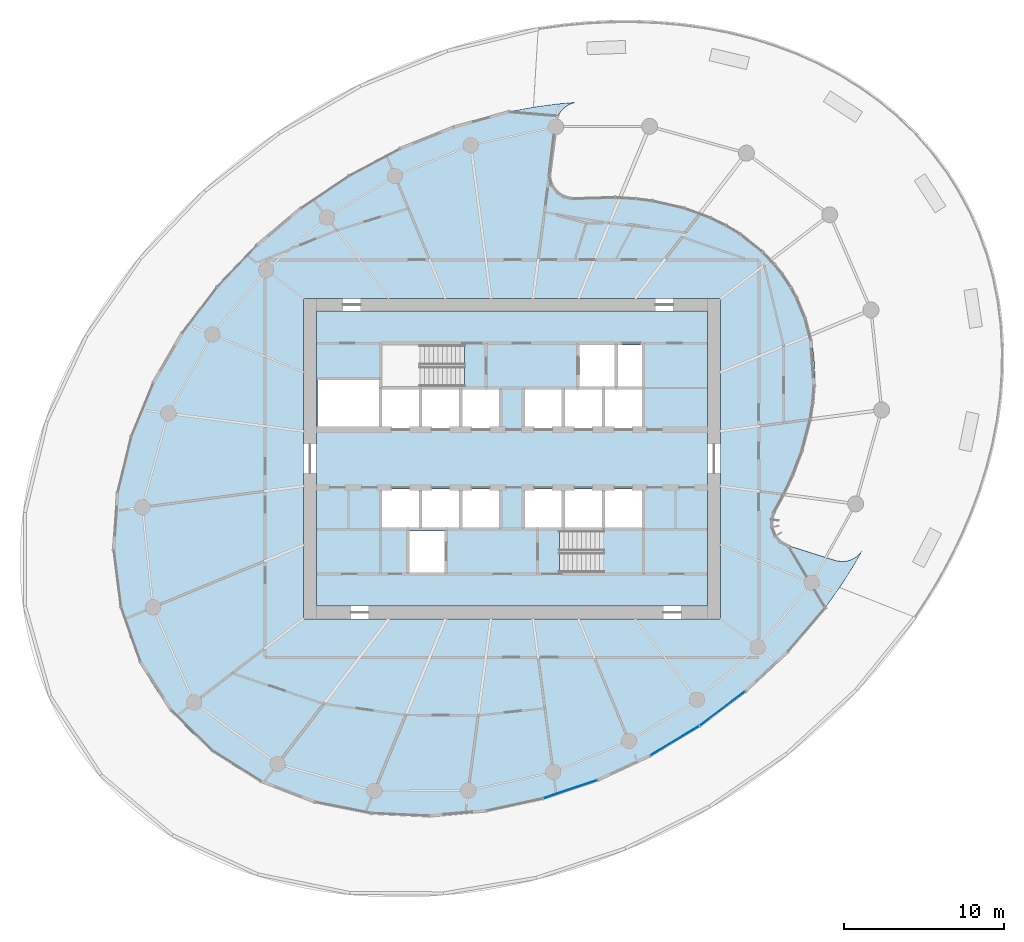
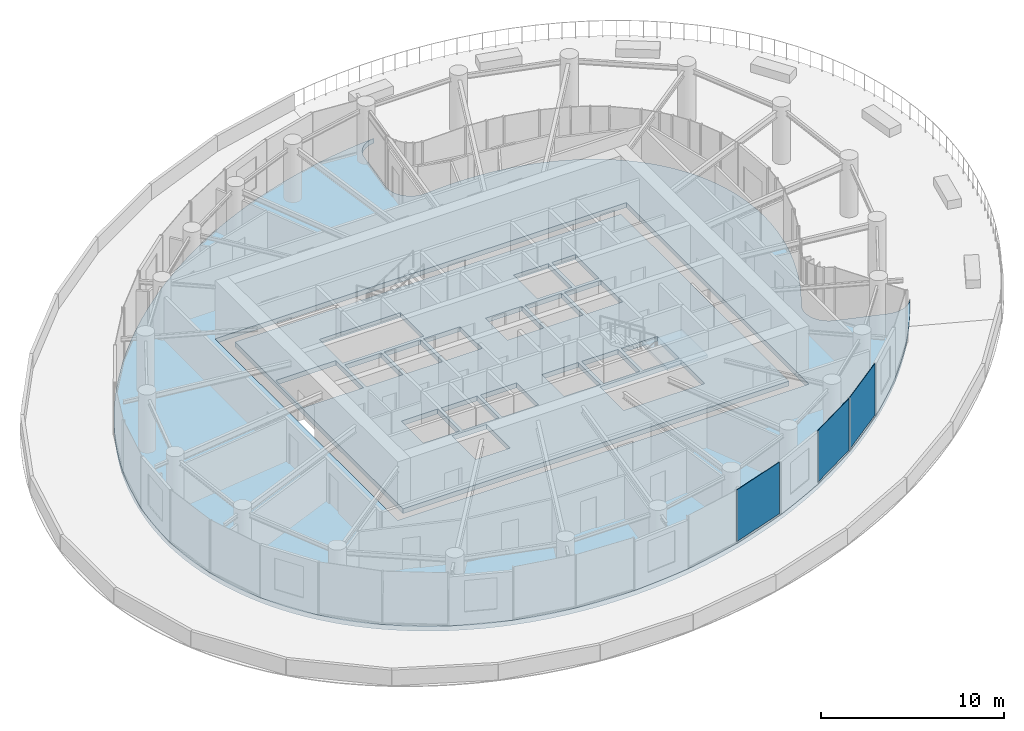
# One storey, part 8 of 21: 3 plates, 3 slabs, 3 elements without a shape of their own.
"""IFC4 building model written with IfcOpenShell, lengths in metres."""

import ifcopenshell
import ifcopenshell.guid

model = None  # the IFC model being written
_history = None  # IfcOwnerHistory: only IFC2X3 demands one
_inside = {}  # id of a spatial element -> (the spatial element, [elements in it])
_under = {}  # id of a project, library or spatial element -> (it, [spatial elements below it])
_declared = {}  # id of a project -> (the project, [libraries it declares])
_typed = {}  # id of a type object -> (the type object, [elements of that type])
_made_of = {}  # id of a material, layer set ... -> (it, [elements and type objects made of it])


def new_model(schema):
    """Start an empty IFC model of exactly this schema.

    Asked for "IFC4X3", IfcOpenShell would pick the latest addendum, in which some entities
    have other attributes; the version numbers below select the first issue.
    IFC2X3 requires an IfcOwnerHistory on every rooted entity: one is made here for all.
    """
    global model, _history
    if schema == "IFC4X3":
        model = ifcopenshell.file(schema_version=(4, 3, 0, 0))
    else:
        model = ifcopenshell.file(schema=schema)
    _inside.clear()
    _under.clear()
    _declared.clear()
    _typed.clear()
    _made_of.clear()
    _history = None
    if model.schema == "IFC2X3":
        org = make("IfcOrganization", Name="unknown")
        user = make(
            "IfcPersonAndOrganization",
            ThePerson=make("IfcPerson", FamilyName="unknown"),
            TheOrganization=org,
        )
        app = make(
            "IfcApplication",
            ApplicationDeveloper=org,
            Version="unknown",
            ApplicationFullName="unknown",
            ApplicationIdentifier="unknown",
        )
        _history = make(
            "IfcOwnerHistory",
            OwningUser=user,
            OwningApplication=app,
            ChangeAction="ADDED",
            CreationDate=0,
        )
    return model


def make(cls, **values):
    """One entity of the class cls with the attributes given. An attribute that is None is left unset."""
    return model.create_entity(
        cls, **{name: value for name, value in values.items() if value is not None}
    )


def rooted(cls, **values):
    """An entity with a GlobalId (a new one), such as an element, a storey or a relation."""
    return make(cls, GlobalId=ifcopenshell.guid.new(), OwnerHistory=_history, **values)


def si_unit(unit_type, name, prefix=None):
    """IfcSIUnit, for example si_unit("LENGTHUNIT", "METRE", prefix="MILLI")."""
    return make("IfcSIUnit", UnitType=unit_type, Prefix=prefix, Name=name)


def assignment(units):
    """IfcUnitAssignment: the units of a project."""
    return None if units is None else make("IfcUnitAssignment", Units=units)


def point(xyz):
    """IfcCartesianPoint."""
    return None if xyz is None else make("IfcCartesianPoint", Coordinates=xyz)


def direction(xyz):
    """IfcDirection."""
    return None if xyz is None else make("IfcDirection", DirectionRatios=xyz)


def frame(location, z_axis=None, x_axis=None):
    """IfcAxis2Placement3D, a coordinate frame: its origin and axes. An axis left out is left unset."""
    return make(
        "IfcAxis2Placement3D",
        Location=point(location),
        Axis=direction(z_axis),
        RefDirection=direction(x_axis),
    )


def frame_2d(location, x_axis=None):
    """IfcAxis2Placement2D, a coordinate frame in the plane: its origin and x axis."""
    return make(
        "IfcAxis2Placement2D", Location=point(location), RefDirection=direction(x_axis)
    )


def origin():
    """The frame at (0, 0, 0) with its axes left unset."""
    return frame((0.0, 0.0, 0.0))


def origin_2d():
    """The frame at (0, 0) in the plane with its x axis left unset."""
    return frame_2d((0.0, 0.0))


def place(relative_to, where):
    """IfcLocalPlacement: puts the frame where relative to a parent placement (None: the world)."""
    return make(
        "IfcLocalPlacement", PlacementRelTo=relative_to, RelativePlacement=where
    )


def context(
    kind, dimensions, precision=None, world=None, true_north=None, identifier=None
):
    """IfcGeometricRepresentationContext, for example the 3D "Model" context."""
    return make(
        "IfcGeometricRepresentationContext",
        ContextIdentifier=identifier,
        ContextType=kind,
        CoordinateSpaceDimension=dimensions,
        Precision=precision,
        WorldCoordinateSystem=world,
        TrueNorth=true_north,
    )


def subcontext(parent, identifier, kind, view, scale=None):
    """IfcGeometricRepresentationSubContext, for example "Body" below "Model"."""
    return make(
        "IfcGeometricRepresentationSubContext",
        ContextIdentifier=identifier,
        ContextType=kind,
        ParentContext=parent,
        TargetScale=scale,
        TargetView=view,
    )


def project(units=None, contexts=None):
    """IfcProject with its units and contexts."""
    return rooted(
        "IfcProject",
        Name="project",
        RepresentationContexts=contexts,
        UnitsInContext=assignment(units),
    )


def spatial(cls, under=None, at=None, **own):
    """A site, building, storey or space (cls), placed at a placement, below another one or the project."""
    s = rooted(cls, ObjectPlacement=at, **own)
    if under is not None:
        _under.setdefault(under.id(), (under, []))[1].append(s)
    return s


def point_list(points):
    """IfcCartesianPointList2D or 3D."""
    cls = (
        "IfcCartesianPointList2D" if len(points[0]) == 2 else "IfcCartesianPointList3D"
    )
    return make(cls, CoordList=points)


def line(*indices):
    """IfcLineIndex: a straight run through numbered points of an indexed curve."""
    return model.create_entity("IfcLineIndex", indices)


def indexed_curve(points, segments=None, self_intersect=None):
    """IfcIndexedPolyCurve: lines and arcs through numbered points (the first is 1)."""
    return make(
        "IfcIndexedPolyCurve",
        Points=point_list(points),
        Segments=segments,
        SelfIntersect=self_intersect,
    )


def profile(cls, at=None, kind="AREA", **sizes):
    """A parametric profile (cls). Its sizes go by their IFC names, for example OverallWidth=200.0."""
    return make(cls, ProfileType=kind, Position=at, **sizes)


def rectangle(**sizes):
    """IfcRectangleProfileDef."""
    return profile("IfcRectangleProfileDef", **sizes)


def outline(outer, holes=None, kind="AREA"):
    """IfcArbitraryClosedProfileDef: a profile drawn as a closed curve; with holes, ...WithVoids."""
    if holes is None:
        return make("IfcArbitraryClosedProfileDef", ProfileType=kind, OuterCurve=outer)
    return make(
        "IfcArbitraryProfileDefWithVoids",
        ProfileType=kind,
        OuterCurve=outer,
        InnerCurves=holes,
    )


def extrude(swept, where, along, depth):
    """IfcExtrudedAreaSolid: the profile swept, set in the frame where, extruded along a direction by depth."""
    return make(
        "IfcExtrudedAreaSolid",
        SweptArea=swept,
        Position=where,
        ExtrudedDirection=direction(along),
        Depth=depth,
    )


def shape(context_of_items, identifier, shape_type, items):
    """IfcShapeRepresentation: the items that make up one representation, for example the "Body"."""
    return make(
        "IfcShapeRepresentation",
        ContextOfItems=context_of_items,
        RepresentationIdentifier=identifier,
        RepresentationType=shape_type,
        Items=items,
    )


def source(mapping_origin, context_of_items, identifier, shape_type, items):
    """IfcRepresentationMap: a shape defined once, which mapped items show again and again."""
    return make(
        "IfcRepresentationMap",
        MappingOrigin=mapping_origin,
        MappedRepresentation=shape(context_of_items, identifier, shape_type, items),
    )


def transform(
    local_origin,
    x_axis=None,
    y_axis=None,
    z_axis=None,
    scale=None,
    scale2=None,
    scale3=None,
    uniform=True,
):
    """IfcCartesianTransformationOperator3D, or its non-uniform kind. x_axis, y_axis, z_axis: its Axis1, 2, 3."""
    if uniform:
        return make(
            "IfcCartesianTransformationOperator3D",
            Axis1=direction(x_axis),
            Axis2=direction(y_axis),
            LocalOrigin=point(local_origin),
            Scale=scale,
            Axis3=direction(z_axis),
        )
    return make(
        "IfcCartesianTransformationOperator3DnonUniform",
        Axis1=direction(x_axis),
        Axis2=direction(y_axis),
        LocalOrigin=point(local_origin),
        Scale=scale,
        Axis3=direction(z_axis),
        Scale2=scale2,
        Scale3=scale3,
    )


def mapped(mapping_source, mapping_target):
    """IfcMappedItem: shows the shape of a source again, moved by a transform."""
    return make(
        "IfcMappedItem", MappingSource=mapping_source, MappingTarget=mapping_target
    )


def material(Name=None, Category=None):
    """IfcMaterial."""
    return make("IfcMaterial", Name=Name, Category=Category)


def layer(
    of_material, thickness, ventilated=None, Name=None, Category=None, Priority=None
):
    """IfcMaterialLayer: one layer of a wall or slab, of a material (None: an air gap)."""
    return make(
        "IfcMaterialLayer",
        Material=of_material,
        LayerThickness=thickness,
        IsVentilated=ventilated,
        Name=Name,
        Category=Category,
        Priority=Priority,
    )


def layer_set(layers, Name=None):
    """IfcMaterialLayerSet."""
    return make("IfcMaterialLayerSet", MaterialLayers=layers, LayerSetName=Name)


def made_of(thing, what):
    """Note that an element or type object is made of a material, layer set ...; save() writes the relation."""
    if what is not None:
        _made_of.setdefault(what.id(), (what, []))[1].append(thing)
    return thing


def type_object(cls, material=None, **own):
    """A type object (cls), such as IfcWallType, which elements share."""
    return made_of(rooted(cls, **own), material)


def element(
    cls,
    number,
    at=None,
    inside=None,
    cuts=None,
    type_object=None,
    material=None,
    context=None,
    identifier="Body",
    shape_type=None,
    held_by="IfcProductDefinitionShape",
    body=None,
    shapes=None,
    **own,
):
    """One element of the class cls, such as IfcWall. Its Tag is "e" and its number.

    at: its placement. inside: the storey or other place that contains it. cuts: it is an
    opening in that element (IfcRelVoidsElement). A single representation is given by context,
    identifier, shape_type and body (its items); several are given by shapes. held_by: the class
    of the entity that holds the representations. save() writes the other relations.
    """
    e = rooted(cls, Tag="e%d" % number, ObjectPlacement=at, **own)
    if body is not None:
        shapes = [shape(context, identifier, shape_type, body)]
    if shapes is not None:
        e.Representation = make(held_by, Representations=shapes)
    if inside is not None:
        _inside.setdefault(inside.id(), (inside, []))[1].append(e)
    if cuts is not None:
        rooted(
            "IfcRelVoidsElement", RelatingBuildingElement=cuts, RelatedOpeningElement=e
        )
    if type_object is not None:
        _typed.setdefault(type_object.id(), (type_object, []))[1].append(e)
    return made_of(e, material)


def aggregate(whole, parts):
    """IfcRelAggregates: a whole, such as a stair, and the parts it consists of."""
    return rooted("IfcRelAggregates", RelatingObject=whole, RelatedObjects=parts)


def save(model, path):
    """Write the relations noted so far, then the file.

    IfcRelAggregates (storeys below a building ...), IfcRelContainedInSpatialStructure (elements
    in a storey), IfcRelDefinesByType, IfcRelAssociatesMaterial and IfcRelDeclares: one each for
    every whole, place, type object, material and project.
    """
    for whole, parts in _under.values():
        aggregate(whole, parts)
    for where, things in _inside.values():
        rooted(
            "IfcRelContainedInSpatialStructure",
            RelatedElements=things,
            RelatingStructure=where,
        )
    for kind, things in _typed.values():
        rooted("IfcRelDefinesByType", RelatedObjects=things, RelatingType=kind)
    for what, things in _made_of.values():
        rooted("IfcRelAssociatesMaterial", RelatedObjects=things, RelatingMaterial=what)
    for by, libraries in _declared.values():
        rooted("IfcRelDeclares", RelatingContext=by, RelatedDefinitions=libraries)
    model.write(path)


model = new_model("IFC4")

# Units and contexts
model_context = context("Model", 3, precision=1e-05, world=origin(), true_north=direction((0.0, 1.0)))
body_context = subcontext(model_context, "Body", "Model", "MODEL_VIEW")
ifc_project = project(units=[si_unit("LENGTHUNIT", "METRE"), si_unit("AREAUNIT", "SQUARE_METRE"), si_unit("VOLUMEUNIT", "CUBIC_METRE"), si_unit("PLANEANGLEUNIT", "RADIAN"), si_unit("MASSUNIT", "GRAM", prefix="KILO")], contexts=[model_context])

# Site, building, storey
site_placement = place(None, origin())
site = spatial("IfcSite", under=ifc_project, at=site_placement, CompositionType="ELEMENT")
building_placement = place(site_placement, origin())
building = spatial("IfcBuilding", under=site, at=building_placement, Name="Spindrift Exchange Tower", CompositionType="ELEMENT")
storey_placement = place(building_placement, frame((0.0, 0.0, 133.10009765625)))
storey = spatial("IfcBuildingStorey", under=building, at=storey_placement, Name="L31", CompositionType="ELEMENT", Elevation=133.10009765625)

# Slabs
ifc_material_1 = material(Name="Concrete 40 MPa", Category="concrete")
ifc_layer_1 = layer(ifc_material_1, 0.320068359375)
ifc_layer_set_1 = layer_set([ifc_layer_1], Name="RC Floor Slab 320 Concrete 40 MPa")
slab_type_1 = type_object("IfcSlabType", Name="RC Floor Slab 320 Concrete 40 MPa", PredefinedType="FLOOR", material=ifc_layer_set_1)
slab_1_placement = place(storey_placement, frame((0.0, 0.0, -0.320068359375)))
element("IfcSlab", 1, at=slab_1_placement, inside=storey, type_object=slab_type_1, Name="Floor slab L31", PredefinedType="FLOOR", context=body_context, shape_type="SweptSolid", body=[
    extrude(outline(indexed_curve([(73.89453125, 42.34033203125), (73.4658203125, 41.581787109375), (73.040283203125, 40.880126953125), (72.820068359375, 40.533935546875), (72.365234375, 39.85107421875), (72.130615234375, 39.514404296875), (71.64794921875, 38.850830078125), (71.39990234375, 38.524169921875), (70.890625, 37.880615234375), (70.36474609375, 37.250732421875), (69.822509765625, 36.634765625), (69.545654296875, 36.33203125), (68.98046875, 35.7373046875), (68.692138671875, 35.4453125), (68.10498046875, 34.872314453125), (67.503662109375, 34.31396484375), (67.19775390625, 34.040283203125), (66.576416015625, 33.50439453125), (65.620361328125, 32.729248046875), (64.636962890625, 31.989013671875), (63.966796875, 31.515380859375), (62.94091796875, 30.83544921875), (61.891357421875, 30.192626953125), (60.819580078125, 29.587646484375), (59.7265625, 29.021728515625), (58.61376953125, 28.495849609375), (57.861572265625, 28.16796875), (57.1015625, 27.8583984375), (56.71875, 27.7109375), (55.94775390625, 27.43017578125), (55.559814453125, 27.296875), (54.778564453125, 27.04541015625), (53.9912109375, 26.814208984375), (53.1982421875, 26.603271484375), (52.7998046875, 26.505615234375), (51.9990234375, 26.326416015625), (51.596923828125, 26.244873046875), (50.78955078125, 26.098388671875), (49.978515625, 25.974365234375), (49.57177734375, 25.9208984375), (48.756103515625, 25.831298828125), (47.93798828125, 25.765869140625), (47.11865234375, 25.724609375), (46.70849609375, 25.71337890625), (45.887939453125, 25.7099609375), (45.067626953125, 25.732421875), (44.657958984375, 25.753662109375), (43.83984375, 25.816162109375), (43.024169921875, 25.906494140625), (42.61767578125, 25.9619140625), (41.80810546875, 26.0947265625), (41.003662109375, 26.256591796875), (40.603759765625, 26.3486328125), (39.809814453125, 26.555419921875), (39.0244140625, 26.79296875), (38.2490234375, 27.061767578125), (37.865478515625, 27.207763671875), (37.1083984375, 27.524169921875), (36.36572265625, 27.87255859375), (35.638916015625, 28.25341796875), (34.93017578125, 28.666748046875), (34.2412109375, 29.112548828125), (33.57421875, 29.59033203125), (33.249755859375, 29.84130859375), (32.931396484375, 30.10009765625), (32.619384765625, 30.36669921875), (32.314453125, 30.64111328125), (32.016357421875, 30.923095703125), (31.725341796875, 31.21240234375), (31.44189453125, 31.509033203125), (31.16650390625, 31.81298828125), (30.898681640625, 32.123779296875), (30.638916015625, 32.44140625), (30.3876953125, 32.765869140625), (30.14501953125, 33.0966796875), (29.9111328125, 33.43359375), (29.68603515625, 33.776611328125), (29.47021484375, 34.12548828125), (29.263427734375, 34.47998046875), (29.06591796875, 34.839599609375), (28.8779296875, 35.204345703125), (28.69970703125, 35.57373046875), (28.53076171875, 35.94775390625), (28.37158203125, 36.32568359375), (28.222412109375, 36.7080078125), (28.0830078125, 37.09375), (27.953125, 37.483154296875), (27.833251953125, 37.87548828125), (27.723388671875, 38.270751953125), (27.623046875, 38.668701171875), (27.451904296875, 39.470947265625), (27.319580078125, 40.28076171875), (27.225341796875, 41.095703125), (27.16845703125, 41.914306640625), (27.15380859375, 42.324462890625), (27.151611328125, 43.14501953125), (27.163818359375, 43.554931640625), (27.2138671875, 44.3740234375), (27.25146484375, 44.782470703125), (27.351806640625, 45.596923828125), (27.413818359375, 46.00244140625), (27.5615234375, 46.8095703125), (27.64697265625, 47.2109375), (27.839599609375, 48.008544921875), (27.947021484375, 48.404541015625), (28.1826171875, 49.1904296875), (28.310302734375, 49.580322265625), (28.586181640625, 50.353271484375), (28.733642578125, 50.736083984375), (29.04736328125, 51.494140625), (29.38525390625, 52.241943359375), (29.56298828125, 52.61181640625), (29.74609375, 52.97900390625), (30.12939453125, 53.704345703125), (30.5341796875, 54.418212890625), (30.744384765625, 54.7705078125), (30.959716796875, 55.119873046875), (31.405029296875, 55.80908203125), (31.869384765625, 56.485595703125), (32.35205078125, 57.149169921875), (32.60009765625, 57.475830078125), (33.109375, 58.119384765625), (33.63525390625, 58.749267578125), (34.177490234375, 59.365234375), (34.454345703125, 59.66796875), (35.01953125, 60.2626953125), (35.599609375, 60.843017578125), (36.194091796875, 61.40869140625), (36.496337890625, 61.68603515625), (37.111328125, 62.2294921875), (38.057861328125, 63.01611328125), (38.704345703125, 63.521484375), (39.363037109375, 64.010986328125), (40.372314453125, 64.715087890625), (41.40625, 65.383056640625), (42.108642578125, 65.807373046875), (42.82080078125, 66.21484375), (43.906982421875, 66.7939453125), (44.642333984375, 67.157958984375), (45.38623046875, 67.504150390625), (46.138427734375, 67.83203125), (46.8984375, 68.1416015625), (47.28125, 68.2890625), (48.05224609375, 68.56982421875), (48.830078125, 68.831298828125), (49.6142578125, 69.07275390625), (50.0087890625, 69.185791015625), (50.8017578125, 69.396728515625), (51.60009765625, 69.586669921875), (52.403076171875, 69.755126953125), (53.21044921875, 69.901611328125), (53.615478515625, 69.966552734375), (54.42822265625, 70.0791015625), (54.835693359375, 70.126708984375), (55.652587890625, 70.204345703125), (56.112548828125, 70.237060546875), (56.00439453125, 70.2255859375), (55.859130859375, 70.1953125), (55.7177734375, 70.150634765625), (55.581298828125, 70.092529296875), (55.451416015625, 70.021240234375), (55.3291015625, 69.9375), (55.2158203125, 69.841796875), (55.1123046875, 69.73583984375), (55.019775390625, 69.619873046875), (54.939208984375, 69.49560546875), (54.87109375, 69.36376953125), (54.81640625, 69.225830078125), (54.775634765625, 69.08349609375), (54.749267578125, 68.9375), (54.357177734375, 65.95458984375), (54.34521484375, 65.805908203125), (54.347900390625, 65.656494140625), (54.365478515625, 65.50830078125), (54.397705078125, 65.3623046875), (54.4443359375, 65.220458984375), (54.504638671875, 65.083984375), (54.578369140625, 64.953857421875), (54.66455078125, 64.83203125), (54.762451171875, 64.71923828125), (54.87109375, 64.61669921875), (54.9892578125, 64.525390625), (55.115966796875, 64.446533203125), (55.25, 64.38037109375), (55.389892578125, 64.327880859375), (55.5341796875, 64.289794921875), (55.681640625, 64.26611328125), (55.830810546875, 64.257080078125), (55.97998046875, 64.262939453125), (56.52392578125, 64.306884765625), (57.15380859375, 64.339599609375), (57.781005859375, 64.352783203125), (58.1162109375, 64.351806640625), (58.768310546875, 64.333251953125), (59.413818359375, 64.29248046875), (60.078369140625, 64.226318359375), (60.427001953125, 64.18115234375), (61.08251953125, 64.076171875), (61.418212890625, 64.011962890625), (62.106201171875, 63.856201171875), (62.759033203125, 63.6767578125), (63.092041015625, 63.572509765625), (63.77099609375, 63.33154296875), (64.40380859375, 63.069091796875), (64.724609375, 62.9208984375), (65.06103515625, 62.753662109375), (65.374267578125, 62.586181640625), (65.966796875, 62.2353515625), (66.264892578125, 62.04052734375), (66.575927734375, 61.822265625), (66.861328125, 61.60791015625), (67.12060546875, 61.400146484375), (67.391845703125, 61.168212890625), (67.655029296875, 60.927490234375), (67.927978515625, 60.65966796875), (68.174072265625, 60.400634765625), (68.393798828125, 60.153076171875), (68.62158203125, 59.87841796875), (68.839599609375, 59.595703125), (69.062744140625, 59.28369140625), (69.259521484375, 58.98583984375), (69.44580078125, 58.68115234375), (69.620849609375, 58.3701171875), (69.784912109375, 58.052978515625), (69.93798828125, 57.730712890625), (70.069580078125, 57.427001953125), (70.200439453125, 57.094482421875), (70.328125, 56.73388671875), (70.435302734375, 56.393798828125), (70.531005859375, 56.050048828125), (70.60986328125, 55.727294921875), (70.68359375, 55.378173828125), (70.75, 55.00390625), (70.80078125, 54.651611328125), (70.868896484375, 53.96630859375), (70.888427734375, 53.611572265625), (70.898193359375, 53.236083984375), (70.89697265625, 52.882568359375), (70.86767578125, 52.197998046875), (70.799560546875, 51.480712890625), (70.75341796875, 51.135009765625), (70.640380859375, 50.467529296875), (70.4912109375, 49.778076171875), (70.40771484375, 49.446533203125), (70.22607421875, 48.80810546875), (70.119873046875, 48.472900390625), (69.8994140625, 47.842529296875), (69.663818359375, 47.239990234375), (69.4052734375, 46.64111328125), (69.2646484375, 46.3369140625), (68.98779296875, 45.77392578125), (68.6923828125, 45.216796875), (68.4228515625, 44.7421875), (68.3544921875, 44.609375), (68.2998046875, 44.470458984375), (68.259033203125, 44.326904296875), (68.232666015625, 44.1796875), (68.22119140625, 44.031005859375), (68.224609375, 43.881591796875), (68.24267578125, 43.7333984375), (68.275390625, 43.587646484375), (68.322509765625, 43.44580078125), (68.38330078125, 43.3095703125), (68.45751953125, 43.179931640625), (68.544189453125, 43.058349609375), (68.642578125, 42.94580078125), (68.75146484375, 42.84375), (68.8701171875, 42.7529296875), (68.9970703125, 42.67431640625), (69.13134765625, 42.60888671875), (69.271240234375, 42.556884765625), (72.140869140625, 41.653076171875), (72.2841796875, 41.615478515625), (72.4306640625, 41.59228515625), (72.57861328125, 41.583740234375), (72.726806640625, 41.589599609375), (72.873779296875, 41.610107421875), (73.017578125, 41.645263671875), (73.15771484375, 41.694091796875), (73.2919921875, 41.756591796875), (73.419677734375, 41.83203125), (73.539306640625, 41.919921875), (73.649658203125, 42.018798828125), (73.74951171875, 42.12841796875), (73.83837890625, 42.2470703125)], segments=[line(1, 2, 3, 4, 5, 6, 7, 8, 9, 10, 11, 12, 13, 14, 15, 16, 17, 18, 19, 20, 21, 22, 23, 24, 25, 26, 27, 28, 29, 30, 31, 32, 33, 34, 35, 36, 37, 38, 39, 40, 41, 42, 43, 44, 45, 46, 47, 48, 49, 50, 51, 52, 53, 54, 55, 56, 57, 58, 59, 60, 61, 62, 63, 64, 65, 66, 67, 68, 69, 70, 71, 72, 73, 74, 75, 76, 77, 78, 79, 80, 81, 82, 83, 84, 85, 86, 87, 88, 89, 90, 91, 92, 93, 94, 95, 96, 97, 98, 99, 100, 101, 102, 103, 104, 105, 106, 107, 108, 109, 110, 111, 112, 113, 114, 115, 116, 117, 118, 119, 120, 121, 122, 123, 124, 125, 126, 127, 128, 129, 130, 131, 132, 133, 134, 135, 136, 137, 138, 139, 140, 141, 142, 143, 144, 145, 146, 147, 148, 149, 150, 151, 152, 153, 154, 155, 156, 157, 158, 159, 160, 161, 162, 163, 164, 165, 166, 167, 168, 169, 170, 171, 172, 173, 174, 175, 176, 177, 178, 179, 180, 181, 182, 183, 184, 185, 186, 187, 188, 189, 190, 191, 192, 193, 194, 195, 196, 197, 198, 199, 200, 201, 202, 203, 204, 205, 206, 207, 208, 209, 210, 211, 212, 213, 214, 215, 216, 217, 218, 219, 220, 221, 222, 223, 224, 225, 226, 227, 228, 229, 230, 231, 232, 233, 234, 235, 236, 237, 238, 239, 240, 241, 242, 243, 244, 245, 246, 247, 248, 249, 250, 251, 252, 253, 254, 255, 256, 257, 258, 259, 260, 261, 262, 263, 264, 265, 266, 267, 268, 269, 270, 271, 272, 273, 274, 275, 276, 277, 278, 279, 280, 281, 282, 283, 284, 285, 1)], self_intersect=False), holes=[indexed_curve([(39.0, 38.0), (65.0, 38.0), (65.0, 58.0), (39.0, 58.0)], segments=[line(1, 2, 3, 4, 1)], self_intersect=False)]), origin(), (0.0, 0.0, 1.0), 0.320068359375),
])
ifc_material_2 = material(Name="Concrete 50 MPa", Category="concrete")
ifc_layer_2 = layer(ifc_material_2, 0.320068359375)
ifc_layer_set_2 = layer_set([ifc_layer_2], Name="SL-CORE-FLOOR-320")
slab_type_2 = type_object("IfcSlabType", Name="SL-CORE-FLOOR-320", PredefinedType="FLOOR", material=ifc_layer_set_2)
slab_2_placement = place(storey_placement, frame((0.0, 0.0, -0.320068359375)))
element("IfcSlab", 2, at=slab_2_placement, inside=storey, type_object=slab_type_2, Name="L31 Core floor slab", PredefinedType="FLOOR", context=body_context, shape_type="SweptSolid", body=[
    extrude(outline(indexed_curve([(39.800048828125, 38.800048828125), (39.800048828125, 57.199951171875), (64.199951171875, 57.199951171875), (64.199951171875, 38.800048828125)], segments=[line(1, 2, 3, 4, 1)], self_intersect=False), holes=[indexed_curve([(47.800048828125, 43.5), (45.60009765625, 43.5), (45.60009765625, 40.89990234375), (47.800048828125, 40.89990234375)], segments=[line(1, 2, 3, 4, 1)], self_intersect=False), indexed_curve([(46.199951171875, 46.10009765625), (43.89990234375, 46.10009765625), (43.89990234375, 43.699951171875), (46.199951171875, 43.699951171875)], segments=[line(1, 2, 3, 4, 1)], self_intersect=False), indexed_curve([(48.699951171875, 46.10009765625), (46.39990234375, 46.10009765625), (46.39990234375, 43.699951171875), (48.699951171875, 43.699951171875)], segments=[line(1, 2, 3, 4, 1)], self_intersect=False), indexed_curve([(51.199951171875, 46.10009765625), (48.89990234375, 46.10009765625), (48.89990234375, 43.699951171875), (51.199951171875, 43.699951171875)], segments=[line(1, 2, 3, 4, 1)], self_intersect=False), indexed_curve([(46.199951171875, 52.300048828125), (43.89990234375, 52.300048828125), (43.89990234375, 49.89990234375), (46.199951171875, 49.89990234375)], segments=[line(1, 2, 3, 4, 1)], self_intersect=False), indexed_curve([(48.699951171875, 52.300048828125), (46.39990234375, 52.300048828125), (46.39990234375, 49.89990234375), (48.699951171875, 49.89990234375)], segments=[line(1, 2, 3, 4, 1)], self_intersect=False), indexed_curve([(51.199951171875, 52.300048828125), (48.89990234375, 52.300048828125), (48.89990234375, 49.89990234375), (51.199951171875, 49.89990234375)], segments=[line(1, 2, 3, 4, 1)], self_intersect=False), indexed_curve([(43.699951171875, 49.89990234375), (43.699951171875, 52.89990234375), (39.89990234375, 52.89990234375), (39.89990234375, 49.89990234375)], segments=[line(1, 2, 3, 4, 1)], self_intersect=False), indexed_curve([(49.0439453125, 55.093994140625), (43.906005859375, 55.093994140625), (43.906005859375, 52.506103515625), (49.0439453125, 52.506103515625)], segments=[line(1, 2, 3, 4, 1)], self_intersect=False), indexed_curve([(60.093994140625, 40.906005859375), (60.093994140625, 43.493896484375), (54.9560546875, 43.493896484375), (54.9560546875, 40.906005859375)], segments=[line(1, 2, 3, 4, 1)], self_intersect=False), indexed_curve([(55.10009765625, 46.10009765625), (52.800048828125, 46.10009765625), (52.800048828125, 43.699951171875), (55.10009765625, 43.699951171875)], segments=[line(1, 2, 3, 4, 1)], self_intersect=False), indexed_curve([(57.60009765625, 46.10009765625), (55.300048828125, 46.10009765625), (55.300048828125, 43.699951171875), (57.60009765625, 43.699951171875)], segments=[line(1, 2, 3, 4, 1)], self_intersect=False), indexed_curve([(60.10009765625, 46.10009765625), (57.800048828125, 46.10009765625), (57.800048828125, 43.699951171875), (60.10009765625, 43.699951171875)], segments=[line(1, 2, 3, 4, 1)], self_intersect=False), indexed_curve([(55.10009765625, 52.300048828125), (52.800048828125, 52.300048828125), (52.800048828125, 49.89990234375), (55.10009765625, 49.89990234375)], segments=[line(1, 2, 3, 4, 1)], self_intersect=False), indexed_curve([(57.60009765625, 52.300048828125), (55.300048828125, 52.300048828125), (55.300048828125, 49.89990234375), (57.60009765625, 49.89990234375)], segments=[line(1, 2, 3, 4, 1)], self_intersect=False), indexed_curve([(60.10009765625, 52.300048828125), (57.800048828125, 52.300048828125), (57.800048828125, 49.89990234375), (60.10009765625, 49.89990234375)], segments=[line(1, 2, 3, 4, 1)], self_intersect=False), indexed_curve([(58.39990234375, 52.5), (58.39990234375, 55.10009765625), (56.199951171875, 55.10009765625), (56.199951171875, 52.5)], segments=[line(1, 2, 3, 4, 1)], self_intersect=False), indexed_curve([(60.10009765625, 52.5), (60.10009765625, 55.10009765625), (58.60009765625, 55.10009765625), (58.60009765625, 52.5)], segments=[line(1, 2, 3, 4, 1)], self_intersect=False)]), origin(), (0.0, 0.0, 1.0), 0.320068359375),
])

# Stair, slab
stair_type = type_object("IfcStairType", Name="ST-1250-R177", PredefinedType="HALF_TURN_STAIR", material=ifc_material_2)
stair_placement = place(storey_placement, origin())
stair = element("IfcStair", 3, at=stair_placement, inside=storey, type_object=stair_type, Name="L31 Exit stair ST2", PredefinedType="HALF_TURN_STAIR")
ifc_layer_3 = layer(ifc_material_2, 0.199951171875)
ifc_layer_set_3 = layer_set([ifc_layer_3], Name="SL-LANDING")
slab_type_3 = type_object("IfcSlabType", Name="SL-LANDING", PredefinedType="LANDING", material=ifc_layer_set_3)
slab_3_placement = place(storey_placement, frame((0.0, 0.0, 1.75)))
slab_3 = element("IfcSlab", 4, at=slab_3_placement, type_object=slab_type_3, Name="ST2 landing 1", PredefinedType="LANDING", context=body_context, shape_type="SweptSolid", body=[
    extrude(outline(indexed_curve([(57.669921875, 43.60009765625), (60.199951171875, 43.60009765625), (60.199951171875, 40.800048828125), (57.669921875, 40.800048828125)], segments=[line(1, 2, 3, 4, 1)], self_intersect=False)), origin(), (0.0, 0.0, 1.0), 0.199951171875),
])
aggregate(stair, [slab_3])

# Curtain wall, plates
ifc_material_3 = material(Name="Fritted laminated glass with bronze frame", Category="glass")
ifc_layer_4 = layer(ifc_material_3, 0.179931640625)
ifc_layer_set_4 = layer_set([ifc_layer_4], Name="ZONE 3 BRONZE FRITTED WALL")
curtain_wall_type = type_object("IfcCurtainWallType", Name="ZONE 3 BRONZE FRITTED WALL", PredefinedType="NOTDEFINED", material=ifc_layer_set_4)
curtain_wall_1_placement = place(storey_placement, origin())
curtain_wall_1 = element("IfcCurtainWall", 5, at=curtain_wall_1_placement, inside=storey, type_object=curtain_wall_type, Name="L31 Zone 3 Bronze Fritted Wall run 4", PredefinedType="NOTDEFINED")
ifc_material_4 = material(Name="Bronze tinted laminated glass, light frit", Category="glass")
ifc_layer_5 = layer(ifc_material_4, 0.031982421875)
ifc_layer_set_5 = layer_set([ifc_layer_5], Name="ZONE 3 BRONZE FRITTED WALL PANEL LIGHT FRIT 1200")
plate_type_1 = type_object("IfcPlateType", Name="ZONE 3 BRONZE FRITTED WALL PANEL LIGHT FRIT 1200", PredefinedType="CURTAIN_PANEL", material=ifc_layer_set_5)
shared_shape_1 = source(origin(), body_context, "Body", "SweptSolid", [
    extrude(rectangle(XDim=3.531005859375, YDim=0.031982421875, at=origin_2d()), origin(), (0.0, 0.0, 1.0), 3.449951171875),
])
plate_1_placement = place(storey_placement, frame((62.15087890625, 30.40185546875, 0.1298828125), z_axis=(0.0, 0.0, 1.0), x_axis=(0.857046823185, 0.515238530071, 0.0)))
plate_1 = element("IfcPlate", 6, at=plate_1_placement, type_object=plate_type_1, Name="L31 panel CW-3.24", PredefinedType="CURTAIN_PANEL", context=body_context, shape_type="MappedRepresentation", body=[
    mapped(shared_shape_1, transform((0.0, 0.0, 0.0), scale=1.0)),
])
ifc_layer_6 = layer(ifc_material_4, 0.031982421875)
ifc_layer_set_6 = layer_set([ifc_layer_6], Name="ZONE 3 BRONZE FRITTED WALL PANEL LIGHT FRIT 720")
plate_type_2 = type_object("IfcPlateType", Name="ZONE 3 BRONZE FRITTED WALL PANEL LIGHT FRIT 720", PredefinedType="CURTAIN_PANEL", material=ifc_layer_set_6)
shared_shape_2 = source(origin(), body_context, "Body", "SweptSolid", [
    extrude(rectangle(XDim=3.53076171875, YDim=0.031982421875, at=origin_2d()), origin(), (0.0, 0.0, 1.0), 3.449951171875),
])
plate_2_placement = place(storey_placement, frame((55.638427734375, 27.376220703125, 0.1298828125), z_axis=(0.0, 0.0, 1.0), x_axis=(0.947006401226, 0.32121468839, 0.0)))
plate_2 = element("IfcPlate", 7, at=plate_2_placement, type_object=plate_type_2, Name="L31 panel CW-3.22", PredefinedType="CURTAIN_PANEL", context=body_context, shape_type="MappedRepresentation", body=[
    mapped(shared_shape_2, transform((0.0, 0.0, 0.0), scale=1.0)),
])
aggregate(curtain_wall_1, [plate_2, plate_1])

# Curtain wall, plate
curtain_wall_2_placement = place(storey_placement, origin())
curtain_wall_2 = element("IfcCurtainWall", 8, at=curtain_wall_2_placement, inside=storey, type_object=curtain_wall_type, Name="L31 Zone 3 Bronze Fritted Wall run 5", PredefinedType="NOTDEFINED")
shared_shape_3 = source(origin(), body_context, "Body", "SweptSolid", [
    extrude(rectangle(XDim=3.531005859375, YDim=0.031982421875, at=origin_2d()), origin(), (0.0, 0.0, 1.0), 3.449951171875),
])
plate_3_placement = place(storey_placement, frame((65.13134765625, 32.413818359375, 0.1298828125), z_axis=(0.0, 0.0, 1.0), x_axis=(0.79834446552, 0.602201058097, 0.0)))
plate_3 = element("IfcPlate", 9, at=plate_3_placement, type_object=plate_type_2, Name="L31 panel CW-3.25", PredefinedType="CURTAIN_PANEL", context=body_context, shape_type="MappedRepresentation", body=[
    mapped(shared_shape_3, transform((0.0, 0.0, 0.0), scale=1.0)),
])
aggregate(curtain_wall_2, [plate_3])

save(model, "model.ifc")
